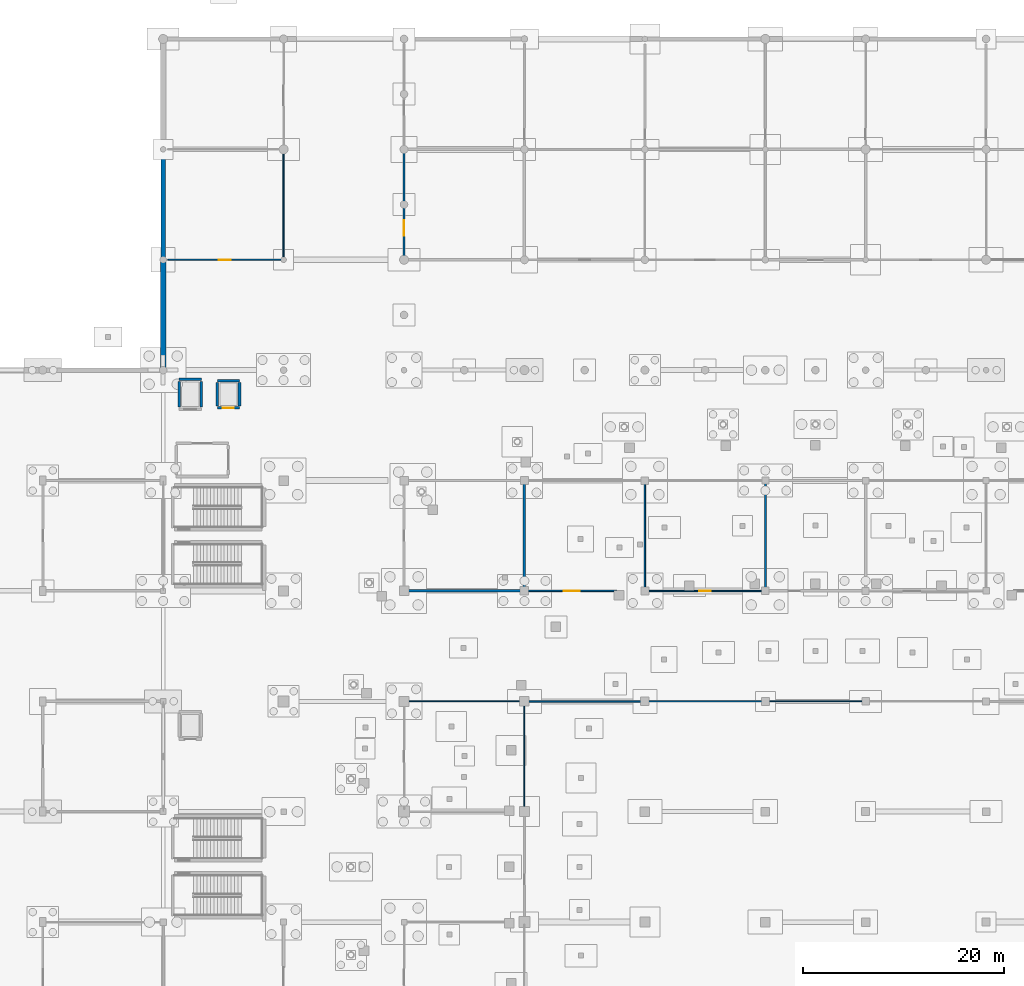
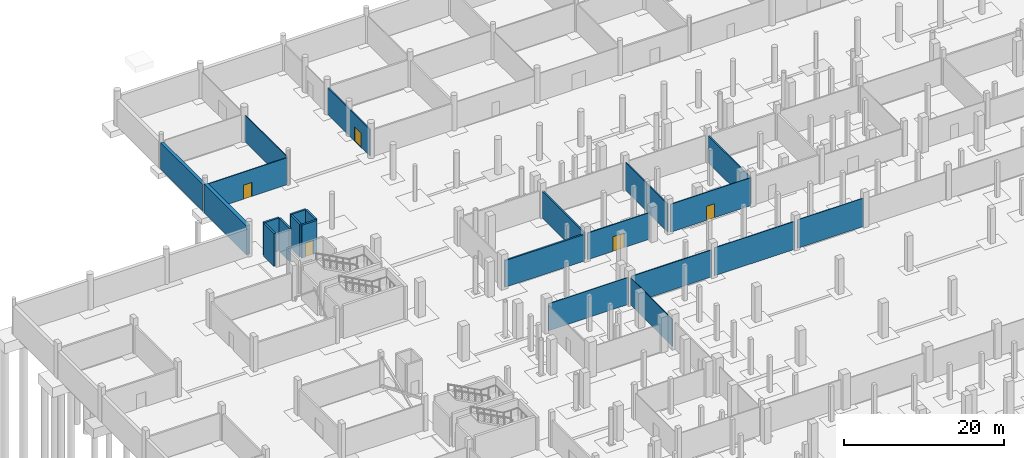
# One storey, part 34 of 60: 23 walls, 5 doors, 5 openings.
"""IFC4 building model written with IfcOpenShell, lengths in metres."""

from ifc_helpers import new_model, si_unit, direction, frame, frame_2d, origin, place, context, subcontext, project, spatial, rectangle, extrude, material, layer, layer_set, type_object, element, fill, save


model = new_model("IFC4")

# Units and contexts
model_context = context("Model", 3, precision=1e-05, world=origin(), true_north=direction((0.0, 1.0)))
body_context = subcontext(model_context, "Body", "Model", "MODEL_VIEW")
ifc_project = project(units=[si_unit("LENGTHUNIT", "METRE"), si_unit("AREAUNIT", "SQUARE_METRE"), si_unit("VOLUMEUNIT", "CUBIC_METRE"), si_unit("PLANEANGLEUNIT", "RADIAN"), si_unit("MASSUNIT", "GRAM", prefix="KILO")], contexts=[model_context])

# Site, building, storey
site_placement = place(None, origin())
site = spatial("IfcSite", under=ifc_project, at=site_placement, CompositionType="ELEMENT")
building_placement = place(site_placement, origin())
building = spatial("IfcBuilding", under=site, at=building_placement, Name="Luwafu Chhajja Arena", CompositionType="ELEMENT")
storey_placement = place(building_placement, frame((0.0, 0.0, -5.39990234375)))
storey = spatial("IfcBuildingStorey", under=building, at=storey_placement, Name="B1", CompositionType="ELEMENT", Elevation=-5.39990234375)

# Walls
ifc_material_1 = material(Name="Acoustic gypsum and mineral wool partition")
ifc_layer_1 = layer(ifc_material_1, 0.199951171875, Name="Acoustic gypsum and mineral wool partition")
ifc_layer_set_1 = layer_set([ifc_layer_1], Name="Acoustic gypsum and mineral wool partition")
wall_type_1 = type_object("IfcWallType", Name="Acoustic Broadcast Studio Partition 200", PredefinedType="PARTITIONING", material=ifc_layer_set_1)
wall_1_placement = place(storey_placement, frame((94.0, 77.219970703125, 0.0), z_axis=(0.0, 0.0, 1.0), x_axis=(0.0, 1.0, 0.0)))
element("IfcWall", 1, at=wall_1_placement, inside=storey, type_object=wall_type_1, Name="B1 Internal Partition 0114", PredefinedType="PARTITIONING", context=body_context, shape_type="SweptSolid", body=[
    extrude(rectangle(XDim=10.56005859375, YDim=0.199951171875, at=frame_2d((5.280029296875, 0.0))), origin(), (0.0, 0.0, 1.0), 4.1298828125),
])
ifc_material_2 = material(Name="Concrete blockwork masonry", Category="masonry")
ifc_layer_2 = layer(ifc_material_2, 0.239990234375, Name="Concrete blockwork masonry")
ifc_layer_set_2 = layer_set([ifc_layer_2], Name="Concrete blockwork masonry")
wall_type_2 = type_object("IfcWallType", Name="Compartment Masonry Partition 240", PredefinedType="PARTITIONING", material=ifc_layer_set_2)
wall_2_placement = place(storey_placement, frame((58.219970703125, 77.0, 0.0), z_axis=(0.0, 0.0, 1.0), x_axis=(1.0, 0.0, 0.0)))
element("IfcWall", 2, at=wall_2_placement, inside=storey, type_object=wall_type_2, Name="B1 Internal Partition 0044", PredefinedType="PARTITIONING", context=body_context, shape_type="SweptSolid", body=[
    extrude(rectangle(XDim=11.56005859375, YDim=0.239990234375, at=frame_2d((5.780029296875, 0.0))), origin(), (0.0, 0.0, 1.0), 4.079833984375),
])
wall_3_placement = place(storey_placement, frame((70.0, 77.219970703125, 0.0), z_axis=(0.0, 0.0, 1.0), x_axis=(0.0, 1.0, 0.0)))
element("IfcWall", 3, at=wall_3_placement, inside=storey, type_object=wall_type_2, Name="B1 Internal Partition 0106", PredefinedType="PARTITIONING", context=body_context, shape_type="SweptSolid", body=[
    extrude(rectangle(XDim=10.56005859375, YDim=0.239990234375, at=frame_2d((5.280029296875, 0.0))), origin(), (0.0, 0.0, 1.0), 4.079833984375),
])
ifc_material_3 = material(Name="Lightweight blockwork partition", Category="masonry")
ifc_layer_3 = layer(ifc_material_3, 0.139892578125, Name="Lightweight blockwork partition")
ifc_layer_set_3 = layer_set([ifc_layer_3], Name="Lightweight blockwork partition")
wall_type_3 = type_object("IfcWallType", Name="Concourse Kiosk Partition 140", PredefinedType="PARTITIONING", material=ifc_layer_set_3)
wall_4_placement = place(storey_placement, frame((70.219970703125, 66.0, 0.0), z_axis=(0.0, 0.0, 1.0), x_axis=(1.0, 0.0, 0.0)))
element("IfcWall", 4, at=wall_4_placement, inside=storey, type_object=wall_type_3, Name="B1 Internal Partition 0003", PredefinedType="PARTITIONING", context=body_context, shape_type="SweptSolid", body=[
    extrude(rectangle(XDim=11.56005859375, YDim=0.139892578125, at=frame_2d((5.780029296875, 0.0))), origin(), (0.0, 0.0, 1.0), 4.1298828125),
])

# Wall, opening, door
wall_5_placement = place(storey_placement, frame((70.219970703125, 77.0, 0.0), z_axis=(0.0, 0.0, 1.0), x_axis=(1.0, 0.0, 0.0)))
wall_5 = element("IfcWall", 5, at=wall_5_placement, inside=storey, type_object=wall_type_3, Name="B1 Internal Partition 0047", PredefinedType="PARTITIONING", context=body_context, shape_type="SweptSolid", body=[
    extrude(rectangle(XDim=8.9833984375, YDim=0.139892578125, at=frame_2d((4.49169921875, 0.0))), origin(), (0.0, 0.0, 1.0), 4.079833984375),
])
opening_1_placement = place(wall_5_placement, frame((3.681640625, 0.0, 0.0)))
opening_1 = element("IfcOpeningElement", 6, at=opening_1_placement, cuts=wall_5, Name="Opening DR-23", PredefinedType="OPENING", context=body_context, shape_type="SweptSolid", body=[
    extrude(rectangle(XDim=1.6201171875, YDim=2.25, at=frame_2d((0.81005859375, 1.125))), frame((0.0, 0.079833984375, 0.0), z_axis=(0.0, -1.0, 0.0), x_axis=(1.0, 0.0, 0.0)), (0.0, 0.0, 1.0), 0.159912109375),
])
ifc_material_4 = material(Name="Hardwood flush glazed double door", Category="wood")
door_type_1 = type_object("IfcDoorType", Name="DR-23", OperationType="DOUBLE_DOOR_SINGLE_SWING", PredefinedType="DOOR", material=ifc_material_4)
door_1_placement = place(opening_1_placement, origin())
door_1 = element("IfcDoor", 7, at=door_1_placement, inside=storey, type_object=door_type_1, Name="B1 Interior Door B1-D045", OperationType="DOUBLE_DOOR_SINGLE_SWING", OverallHeight=2.25, OverallWidth=1.6201171875, PredefinedType="DOOR", context=body_context, shape_type="SweptSolid", body=[
    extrude(rectangle(XDim=1.6201171875, YDim=2.25, at=frame_2d((0.81005859375, 1.125))), frame((0.0, 0.02490234375, 0.0), z_axis=(0.0, -1.0, 0.0), x_axis=(1.0, 0.0, 0.0)), (0.0, 0.0, 1.0), 0.050048828125),
])
fill(opening_1, door_1)

# Walls
wall_6_placement = place(storey_placement, frame((82.0, 77.219970703125, 0.0), z_axis=(0.0, 0.0, 1.0), x_axis=(0.0, 1.0, 0.0)))
element("IfcWall", 8, at=wall_6_placement, inside=storey, type_object=wall_type_3, Name="B1 Internal Partition 0110", PredefinedType="PARTITIONING", context=body_context, shape_type="SweptSolid", body=[
    extrude(rectangle(XDim=10.56005859375, YDim=0.139892578125, at=frame_2d((5.280029296875, 0.0))), origin(), (0.0, 0.0, 1.0), 4.27978515625),
])
ifc_material_5 = material(Name="Gypsum plasterboard partition")
ifc_layer_4 = layer(ifc_material_5, 0.10009765625, Name="Gypsum plasterboard partition")
ifc_layer_set_4 = layer_set([ifc_layer_4], Name="Gypsum plasterboard partition")
wall_type_4 = type_object("IfcWallType", Name="Drywall Lining Partition 100", PredefinedType="PARTITIONING", material=ifc_layer_set_4)
wall_7_placement = place(storey_placement, frame((94.219970703125, 66.0, 0.0), z_axis=(0.0, 0.0, 1.0), x_axis=(1.0, 0.0, 0.0)))
element("IfcWall", 9, at=wall_7_placement, inside=storey, type_object=wall_type_4, Name="B1 Internal Partition 0007", PredefinedType="PARTITIONING", context=body_context, shape_type="SweptSolid", body=[
    extrude(rectangle(XDim=9.56005859375, YDim=0.10009765625, at=frame_2d((4.780029296875, 0.0))), origin(), (0.0, 0.0, 1.0), 4.346435546875),
])
wall_8_placement = place(storey_placement, frame((58.219970703125, 66.0, 0.0), z_axis=(0.0, 0.0, 1.0), x_axis=(1.0, 0.0, 0.0)))
element("IfcWall", 10, at=wall_8_placement, inside=storey, type_object=wall_type_4, Name="B1 Internal Partition 0043", PredefinedType="PARTITIONING", context=body_context, shape_type="SweptSolid", body=[
    extrude(rectangle(XDim=11.56005859375, YDim=0.10009765625, at=frame_2d((5.780029296875, 0.0))), origin(), (0.0, 0.0, 1.0), 4.1298828125),
])
wall_9_placement = place(storey_placement, frame((70.0, 55.219970703125, 0.0), z_axis=(0.0, 0.0, 1.0), x_axis=(0.0, 1.0, 0.0)))
element("IfcWall", 11, at=wall_9_placement, inside=storey, type_object=wall_type_4, Name="B1 Internal Partition 0099", PredefinedType="PARTITIONING", context=body_context, shape_type="SweptSolid", body=[
    extrude(rectangle(XDim=10.56005859375, YDim=0.10009765625, at=frame_2d((5.280029296875, 0.0))), origin(), (0.0, 0.0, 1.0), 4.1298828125),
])

# Wall, opening, door
ifc_layer_5 = layer(ifc_material_2, 0.179931640625, Name="Concrete blockwork masonry")
ifc_layer_set_5 = layer_set([ifc_layer_5], Name="Concrete blockwork masonry")
wall_type_5 = type_object("IfcWallType", Name="Hospitality Suite Partition 180", PredefinedType="PARTITIONING", material=ifc_layer_set_5)
wall_10_placement = place(storey_placement, frame((58.0, 110.219970703125, 0.0), z_axis=(0.0, 0.0, 1.0), x_axis=(0.0, 1.0, 0.0)))
wall_10 = element("IfcWall", 12, at=wall_10_placement, inside=storey, type_object=wall_type_5, Name="B1 Internal Partition 0038", PredefinedType="PARTITIONING", context=body_context, shape_type="SweptSolid", body=[
    extrude(rectangle(XDim=10.56005859375, YDim=0.179931640625, at=frame_2d((5.280029296875, 0.0))), origin(), (0.0, 0.0, 1.0), 4.079833984375),
])
opening_2_placement = place(wall_10_placement, frame((2.1767578125, 0.0, 0.0)))
opening_2 = element("IfcOpeningElement", 13, at=opening_2_placement, cuts=wall_10, Name="Opening DR-19", PredefinedType="OPENING", context=body_context, shape_type="SweptSolid", body=[
    extrude(rectangle(XDim=1.56005859375, YDim=2.199951171875, at=frame_2d((0.780029296875, 1.10009765625))), frame((0.0, 0.099853515625, 0.0), z_axis=(0.0, -1.0, 0.0), x_axis=(1.0, 0.0, 0.0)), (0.0, 0.0, 1.0), 0.199951171875),
])
ifc_material_6 = material(Name="Solid-core moisture-resistant laminate leaf")
door_type_2 = type_object("IfcDoorType", Name="DR-19", OperationType="DOUBLE_DOOR_SINGLE_SWING", PredefinedType="DOOR", material=ifc_material_6)
door_2_placement = place(opening_2_placement, origin())
door_2 = element("IfcDoor", 14, at=door_2_placement, inside=storey, type_object=door_type_2, Name="B1 Interior Door B1-D043", OperationType="DOUBLE_DOOR_SINGLE_SWING", OverallHeight=2.199951171875, OverallWidth=1.56005859375, PredefinedType="DOOR", context=body_context, shape_type="SweptSolid", body=[
    extrude(rectangle(XDim=1.56005859375, YDim=2.199951171875, at=frame_2d((0.780029296875, 1.10009765625))), frame((0.0, 0.02490234375, 0.0), z_axis=(0.0, -1.0, 0.0), x_axis=(1.0, 0.0, 0.0)), (0.0, 0.0, 1.0), 0.050048828125),
])
fill(opening_2, door_2)

# Wall
ifc_material_7 = material(Name="Acoustic metal-stud gypsum board")
ifc_layer_6 = layer(ifc_material_7, 0.1201171875, Name="Acoustic metal-stud gypsum board")
ifc_layer_set_6 = layer_set([ifc_layer_6], Name="Acoustic metal-stud gypsum board")
wall_type_6 = type_object("IfcWallType", Name="Internal Room Partition 120", PredefinedType="PARTITIONING", material=ifc_layer_set_6)
wall_11_placement = place(storey_placement, frame((82.219970703125, 66.0, 0.0), z_axis=(0.0, 0.0, 1.0), x_axis=(1.0, 0.0, 0.0)))
element("IfcWall", 15, at=wall_11_placement, inside=storey, type_object=wall_type_6, Name="B1 Internal Partition 0005", PredefinedType="PARTITIONING", context=body_context, shape_type="SweptSolid", body=[
    extrude(rectangle(XDim=11.56005859375, YDim=0.1201171875, at=frame_2d((5.780029296875, 0.0))), origin(), (0.0, 0.0, 1.0), 4.27978515625),
])

# Wall, opening, door
wall_12_placement = place(storey_placement, frame((34.47998046875, 110.0, 0.0), z_axis=(0.0, 0.0, 1.0), x_axis=(1.0, 0.0, 0.0)))
wall_12 = element("IfcWall", 16, at=wall_12_placement, inside=storey, type_object=wall_type_6, Name="B1 Internal Partition 0032", PredefinedType="PARTITIONING", context=body_context, shape_type="SweptSolid", body=[
    extrude(rectangle(XDim=11.300048828125, YDim=0.1201171875, at=frame_2d((5.64990234375, 0.0))), origin(), (0.0, 0.0, 1.0), 4.1298828125),
])
opening_3_placement = place(wall_12_placement, frame((5.06005859375, 0.0, 0.0)))
opening_3 = element("IfcOpeningElement", 17, at=opening_3_placement, cuts=wall_12, Name="Opening DR-21", PredefinedType="OPENING", context=body_context, shape_type="SweptSolid", body=[
    extrude(rectangle(XDim=1.179931640625, YDim=2.14990234375, at=frame_2d((0.58984375, 1.074951171875))), frame((0.0, 0.070068359375, 0.0), z_axis=(0.0, -1.0, 0.0), x_axis=(1.0, 0.0, 0.0)), (0.0, 0.0, 1.0), 0.14013671875),
])
ifc_material_8 = material(Name="Hygienic laminate single leaf")
door_type_3 = type_object("IfcDoorType", Name="DR-21", OperationType="NOTDEFINED", PredefinedType="DOOR", material=ifc_material_8)
door_3_placement = place(opening_3_placement, origin())
door_3 = element("IfcDoor", 18, at=door_3_placement, inside=storey, type_object=door_type_3, Name="B1 Interior Door B1-D038", OperationType="SINGLE_SWING_LEFT", OverallHeight=2.14990234375, OverallWidth=1.179931640625, PredefinedType="DOOR", context=body_context, shape_type="SweptSolid", body=[
    extrude(rectangle(XDim=1.179931640625, YDim=2.14990234375, at=frame_2d((0.58984375, 1.074951171875))), frame((0.0, 0.02490234375, 0.0), z_axis=(0.0, -1.0, 0.0), x_axis=(1.0, 0.0, 0.0)), (0.0, 0.0, 1.0), 0.050048828125),
])
fill(opening_3, door_3)

# Wall
wall_13_placement = place(storey_placement, frame((46.0, 110.219970703125, 0.0), z_axis=(0.0, 0.0, 1.0), x_axis=(0.0, 1.0, 0.0)))
element("IfcWall", 19, at=wall_13_placement, inside=storey, type_object=wall_type_6, Name="B1 Internal Partition 0033", PredefinedType="PARTITIONING", context=body_context, shape_type="SweptSolid", body=[
    extrude(rectangle(XDim=10.56005859375, YDim=0.1201171875, at=frame_2d((5.280029296875, 0.0))), origin(), (0.0, 0.0, 1.0), 4.079833984375),
])

# Wall, opening, door
wall_14_placement = place(storey_placement, frame((82.219970703125, 77.0, 0.0), z_axis=(0.0, 0.0, 1.0), x_axis=(1.0, 0.0, 0.0)))
wall_14 = element("IfcWall", 20, at=wall_14_placement, inside=storey, type_object=wall_type_6, Name="B1 Internal Partition 0050", PredefinedType="PARTITIONING", context=body_context, shape_type="SweptSolid", body=[
    extrude(rectangle(XDim=11.56005859375, YDim=0.1201171875, at=frame_2d((5.780029296875, 0.0))), origin(), (0.0, 0.0, 1.0), 4.27978515625),
])
opening_4_placement = place(wall_14_placement, frame((5.18994140625, 0.0, 0.0)))
opening_4 = element("IfcOpeningElement", 21, at=opening_4_placement, cuts=wall_14, Name="Opening DR-21", PredefinedType="OPENING", context=body_context, shape_type="SweptSolid", body=[
    extrude(rectangle(XDim=1.179931640625, YDim=2.14990234375, at=frame_2d((0.58984375, 1.074951171875))), frame((0.0, 0.070068359375, 0.0), z_axis=(0.0, -1.0, 0.0), x_axis=(1.0, 0.0, 0.0)), (0.0, 0.0, 1.0), 0.14013671875),
])
door_4_placement = place(opening_4_placement, origin())
door_4 = element("IfcDoor", 22, at=door_4_placement, inside=storey, type_object=door_type_3, Name="B1 Interior Door B1-D047", OperationType="SINGLE_SWING_RIGHT", OverallHeight=2.14990234375, OverallWidth=1.179931640625, PredefinedType="DOOR", context=body_context, shape_type="SweptSolid", body=[
    extrude(rectangle(XDim=1.179931640625, YDim=2.14990234375, at=frame_2d((0.58984375, 1.074951171875))), frame((0.0, 0.02490234375, 0.0), z_axis=(0.0, -1.0, 0.0), x_axis=(1.0, 0.0, 0.0)), (0.0, 0.0, 1.0), 0.050048828125),
])
fill(opening_4, door_4)

# Walls
ifc_material_9 = material(Name="Concrete C35/45", Category="concrete")
ifc_layer_7 = layer(ifc_material_9, 0.260009765625, Name="Concrete C35/45")
ifc_layer_set_7 = layer_set([ifc_layer_7], Name="Concrete C35/45")
wall_type_7 = type_object("IfcWallType", Name="Lift and Riser Shaft Wall 260", PredefinedType="SOLIDWALL", material=ifc_layer_set_7)
wall_15_placement = place(storey_placement, frame((35.590087890625, 98.0849609375, 0.0), z_axis=(0.0, 0.0, 1.0), x_axis=(1.0, 0.0, 0.0)))
element("IfcWall", 23, at=wall_15_placement, inside=storey, type_object=wall_type_7, Name="B1 Lift LF-03 Shaft Wall N", PredefinedType="SOLIDWALL", context=body_context, shape_type="SweptSolid", body=[
    extrude(rectangle(XDim=2.219970703125, YDim=0.260009765625, at=frame_2d((1.10986328125, 0.0))), origin(), (0.0, 0.0, 1.0), 5.039794921875),
])
for number, where, z_axis, x_axis, name in (
    (24, (35.590087890625, 95.31494140625, 0.0), (0.0, 0.0, 1.0), (0.0, 1.0, 0.0), "B1 Lift LF-03 Shaft Wall W"),
    (25, (37.81005859375, 95.31494140625, 0.0), (0.0, 0.0, 1.0), (0.0, 1.0, 0.0), "B1 Lift LF-03 Shaft Wall E"),
):
    element("IfcWall", number, at=place(storey_placement, frame(where, z_axis=z_axis, x_axis=x_axis)), inside=storey, type_object=wall_type_7, Name=name, PredefinedType="SOLIDWALL", context=body_context, shape_type="SweptSolid", body=[
        extrude(rectangle(XDim=2.570068359375, YDim=0.260009765625, at=frame_2d((1.28515625, 0.0))), origin(), (0.0, 0.0, 1.0), 5.039794921875),
    ])

# Wall, opening, door
wall_16_placement = place(storey_placement, frame((39.389892578125, 95.239990234375, 0.0), z_axis=(0.0, 0.0, 1.0), x_axis=(1.0, 0.0, 0.0)))
wall_16 = element("IfcWall", 26, at=wall_16_placement, inside=storey, type_object=wall_type_7, Name="B1 Lift LF-07 Shaft Wall S", PredefinedType="SOLIDWALL", context=body_context, shape_type="SweptSolid", body=[
    extrude(rectangle(XDim=2.22021484375, YDim=0.260009765625, at=frame_2d((1.110107421875, 0.0))), origin(), (0.0, 0.0, 1.0), 5.039794921875),
])
opening_5_placement = place(wall_16_placement, frame((0.56005859375, 0.0, 0.0)))
opening_5 = element("IfcOpeningElement", 27, at=opening_5_placement, cuts=wall_16, Name="Opening LD-01", PredefinedType="OPENING", context=body_context, shape_type="SweptSolid", body=[
    extrude(rectangle(XDim=1.10009765625, YDim=2.14990234375, at=frame_2d((0.550048828125, 1.074951171875))), frame((0.0, 0.139892578125, 0.0), z_axis=(0.0, -1.0, 0.0), x_axis=(1.0, 0.0, 0.0)), (0.0, 0.0, 1.0), 0.280029296875),
])
ifc_material_10 = material(Name="Brushed stainless steel sliding leaves", Category="steel")
door_type_4 = type_object("IfcDoorType", Name="LD-01", OperationType="SLIDING_TO_LEFT", PredefinedType="DOOR", material=ifc_material_10)
door_5_placement = place(opening_5_placement, origin())
door_5 = element("IfcDoor", 28, at=door_5_placement, inside=storey, type_object=door_type_4, Name="B1 Lift LF-07 Landing Door B1-LD06", OperationType="SLIDING_TO_LEFT", OverallHeight=2.14990234375, OverallWidth=1.10009765625, PredefinedType="DOOR", context=body_context, shape_type="SweptSolid", body=[
    extrude(rectangle(XDim=1.10009765625, YDim=2.14990234375, at=frame_2d((0.550048828125, 1.074951171875))), frame((0.0, 0.02490234375, 0.0), z_axis=(0.0, -1.0, 0.0), x_axis=(1.0, 0.0, 0.0)), (0.0, 0.0, 1.0), 0.050048828125),
])
fill(opening_5, door_5)

# Walls
wall_17_placement = place(storey_placement, frame((39.389892578125, 97.9599609375, 0.0), z_axis=(0.0, 0.0, 1.0), x_axis=(1.0, 0.0, 0.0)))
element("IfcWall", 29, at=wall_17_placement, inside=storey, type_object=wall_type_7, Name="B1 Lift LF-07 Shaft Wall N", PredefinedType="SOLIDWALL", context=body_context, shape_type="SweptSolid", body=[
    extrude(rectangle(XDim=2.22021484375, YDim=0.260009765625, at=frame_2d((1.110107421875, 0.0))), origin(), (0.0, 0.0, 1.0), 5.039794921875),
])
for number, where, z_axis, x_axis, name in (
    (30, (39.389892578125, 95.43994140625, 0.0), (0.0, 0.0, 1.0), (0.0, 1.0, 0.0), "B1 Lift LF-07 Shaft Wall W"),
    (31, (41.610107421875, 95.43994140625, 0.0), (0.0, 0.0, 1.0), (0.0, 1.0, 0.0), "B1 Lift LF-07 Shaft Wall E"),
):
    element("IfcWall", number, at=place(storey_placement, frame(where, z_axis=z_axis, x_axis=x_axis)), inside=storey, type_object=wall_type_7, Name=name, PredefinedType="SOLIDWALL", context=body_context, shape_type="SweptSolid", body=[
        extrude(rectangle(XDim=2.320068359375, YDim=0.260009765625, at=frame_2d((1.16015625, 0.0))), origin(), (0.0, 0.0, 1.0), 5.039794921875),
    ])
ifc_material_11 = material(Name="Concrete C40/50", Category="concrete")
ifc_layer_8 = layer(ifc_material_11, 0.43994140625, Name="Concrete C40/50")
ifc_layer_set_8 = layer_set([ifc_layer_8], Name="Concrete C40/50")
wall_type_8 = type_object("IfcWallType", Name="RC Basement Retaining Wall 440", PredefinedType="SOLIDWALL", material=ifc_layer_set_8)
wall_18_placement = place(storey_placement, frame((34.0, 110.219970703125, 0.0), z_axis=(0.0, 0.0, 1.0), x_axis=(0.0, 1.0, 0.0)))
element("IfcWall", 32, at=wall_18_placement, inside=storey, type_object=wall_type_8, Name="B1 Exterior Wall WEX-B1-018", PredefinedType="SOLIDWALL", context=body_context, shape_type="SweptSolid", body=[
    extrude(rectangle(XDim=10.56005859375, YDim=0.43994140625, at=frame_2d((5.280029296875, 0.0))), origin(), (0.0, 0.0, 1.0), 4.079833984375),
])
ifc_layer_9 = layer(ifc_material_11, 0.52001953125, Name="Concrete C40/50")
ifc_layer_set_9 = layer_set([ifc_layer_9], Name="Concrete C40/50")
wall_type_9 = type_object("IfcWallType", Name="RC Basement Retaining Wall 520", PredefinedType="SOLIDWALL", material=ifc_layer_set_9)
wall_19_placement = place(storey_placement, frame((34.0, 99.219970703125, 0.0), z_axis=(0.0, 0.0, 1.0), x_axis=(0.0, 1.0, 0.0)))
element("IfcWall", 33, at=wall_19_placement, inside=storey, type_object=wall_type_9, Name="B1 Exterior Wall WEX-B1-017", PredefinedType="SOLIDWALL", context=body_context, shape_type="SweptSolid", body=[
    extrude(rectangle(XDim=10.56005859375, YDim=0.52001953125, at=frame_2d((5.280029296875, 0.0))), origin(), (0.0, 0.0, 1.0), 4.429931640625),
])

save(model, "model.ifc")
